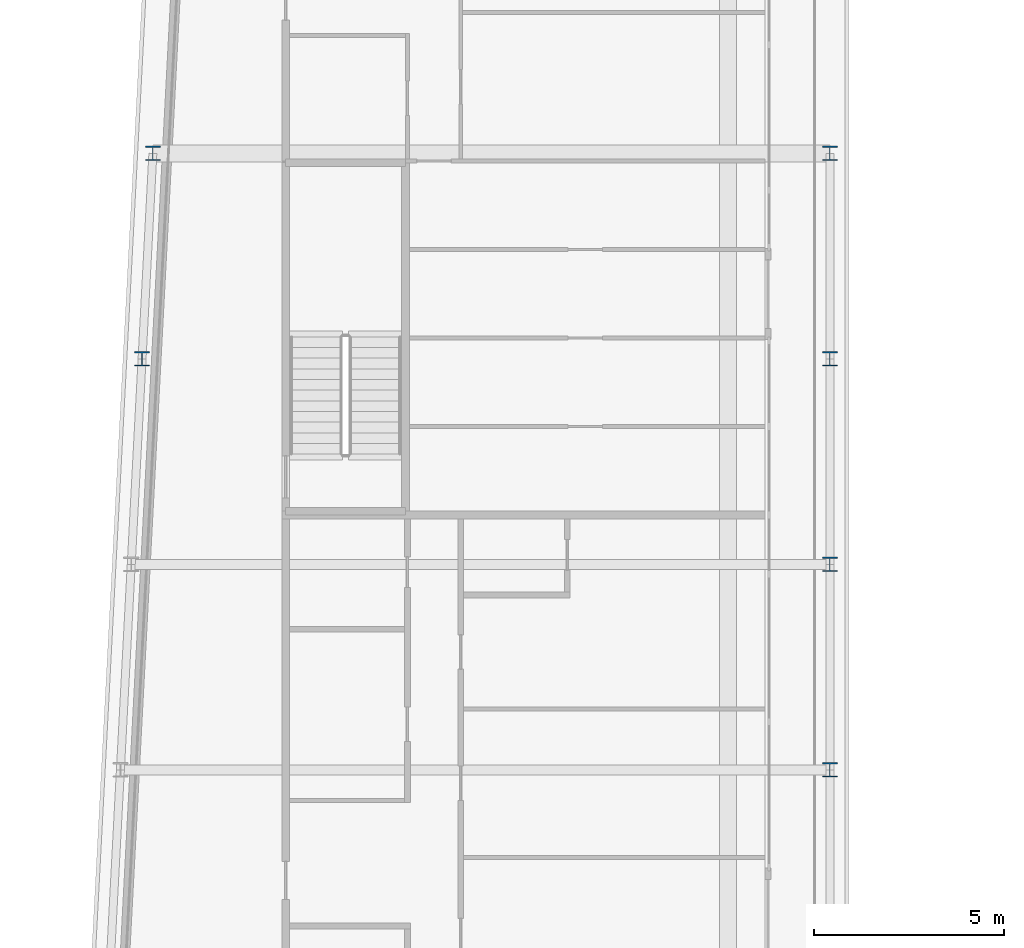
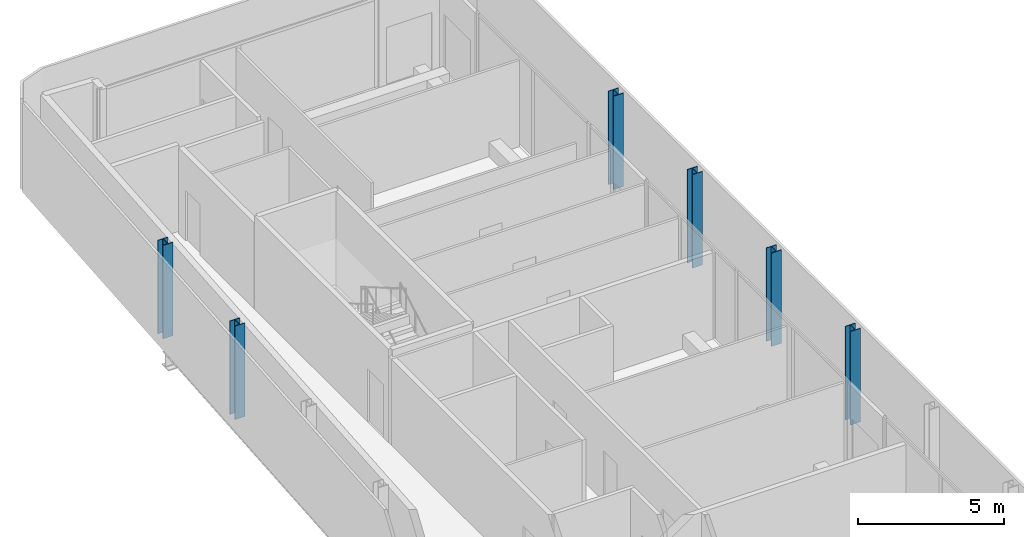
# One storey, part 4 of 21: 6 columns.
"""IFC4 building model written with IfcOpenShell, lengths in metres."""

from ifc_helpers import new_model, si_unit, direction, frame, origin, origin_2d, place, context, subcontext, project, spatial, i_section, extrude, material, material_profile, profile_set, type_object, element, save


model = new_model("IFC4")

# Units and contexts
model_context = context("Model", 3, precision=1e-05, world=origin(), true_north=direction((0.0, 1.0)))
body_context = subcontext(model_context, "Body", "Model", "MODEL_VIEW")
ifc_project = project(units=[si_unit("LENGTHUNIT", "METRE"), si_unit("AREAUNIT", "SQUARE_METRE"), si_unit("VOLUMEUNIT", "CUBIC_METRE"), si_unit("PLANEANGLEUNIT", "RADIAN"), si_unit("MASSUNIT", "GRAM", prefix="KILO")], contexts=[model_context])

# Site, building, storey
site_placement = place(None, origin())
site = spatial("IfcSite", under=ifc_project, at=site_placement, CompositionType="ELEMENT")
building_placement = place(site_placement, origin())
building = spatial("IfcBuilding", under=site, at=building_placement, Name="Kheshtan School and Residences Tower", CompositionType="ELEMENT")
storey_placement = place(building_placement, frame((0.0, 0.0, 302.0)))
storey = spatial("IfcBuildingStorey", under=building, at=storey_placement, Name="L71", CompositionType="ELEMENT", Elevation=302.0)

# Columns
ifc_material = material(Name="Steel ASTM A992 Grade 50", Category="steel")
ifc_material_profile = material_profile(ifc_material, i_section(OverallWidth=0.39501953125, OverallDepth=0.3798828125, WebThickness=0.018798828125, FlangeThickness=0.0302734375, FilletRadius=0.011474609375, at=origin_2d()), Name="W360x237")
ifc_profile_set = profile_set([ifc_material_profile], Name="Steel ASTM A992 Grade 50")
column_type = type_object("IfcColumnType", Name="Column C5 W360x237 ASTM A992 Grade 50", PredefinedType="COLUMN", material=ifc_profile_set)
for number, where, z_axis, x_axis, name in (
    (1, (47.60009765625, 72.60009765625, 0.0), (0.0, 0.0, 1.0), (1.0, 0.0, 0.0), "Column C087"),
    (2, (47.60009765625, 78.0, 0.0), (0.0, 0.0, 1.0), (1.0, 0.0, 0.0), "Column C089"),
    (3, (29.527099609375, 83.39990234375, 0.0), (0.0, 0.0, 1.0), (1.0, 0.0, 0.0), "Column C090"),
    (4, (47.60009765625, 83.39990234375, 0.0), (0.0, 0.0, 1.0), (1.0, 0.0, 0.0), "Column C091"),
    (5, (29.81103515625, 88.800048828125, 0.0), (0.0, 0.0, 1.0), (1.0, 0.0, 0.0), "Column C098"),
    (6, (47.60009765625, 88.800048828125, 0.0), (0.0, 0.0, 1.0), (1.0, 0.0, 0.0), "Column C099"),
):
    element("IfcColumn", number, at=place(storey_placement, frame(where, z_axis=z_axis, x_axis=x_axis)), inside=storey, type_object=column_type, Name=name, PredefinedType="COLUMN", context=body_context, shape_type="SweptSolid", body=[
        extrude(i_section(OverallWidth=0.39501953125, OverallDepth=0.3798828125, WebThickness=0.018798828125, FlangeThickness=0.0302734375, FilletRadius=0.011474609375, at=origin_2d()), origin(), (0.0, 0.0, 1.0), 3.89990234375),
    ])

save(model, "model.ifc")
